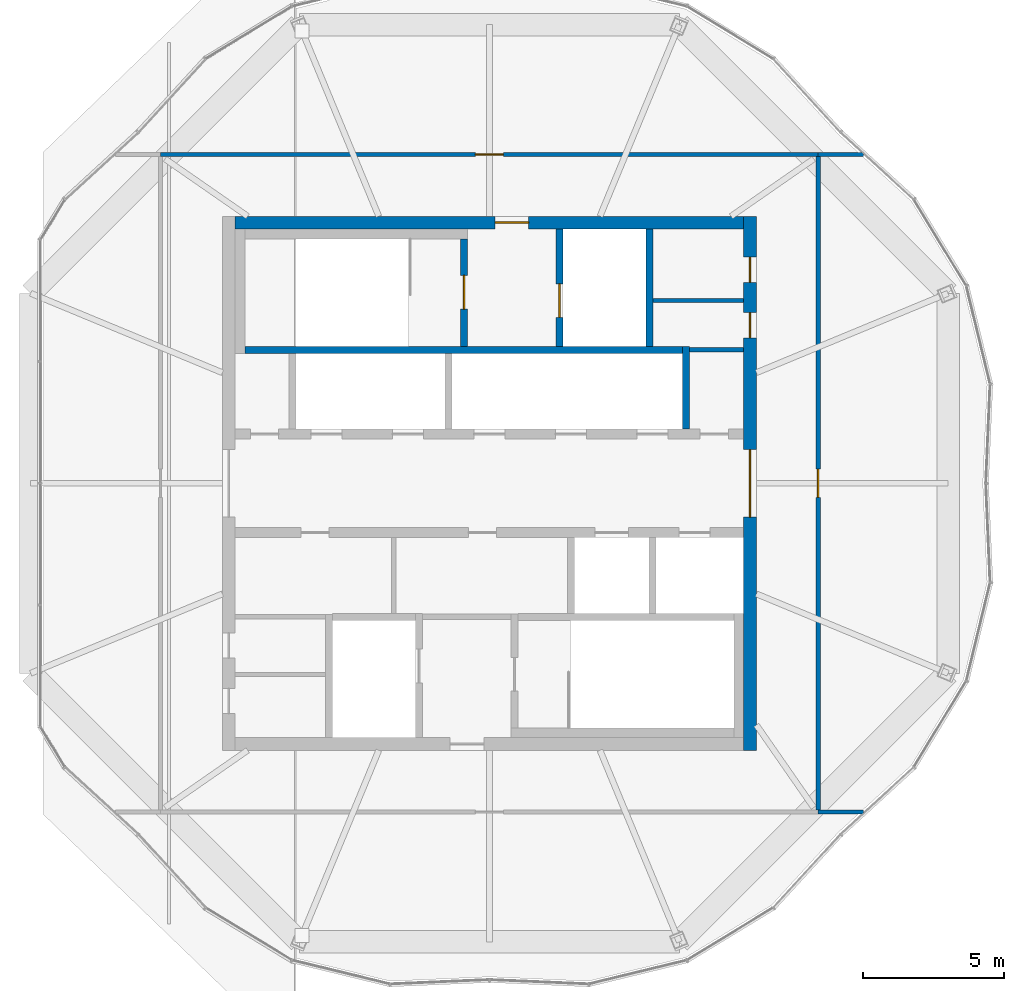
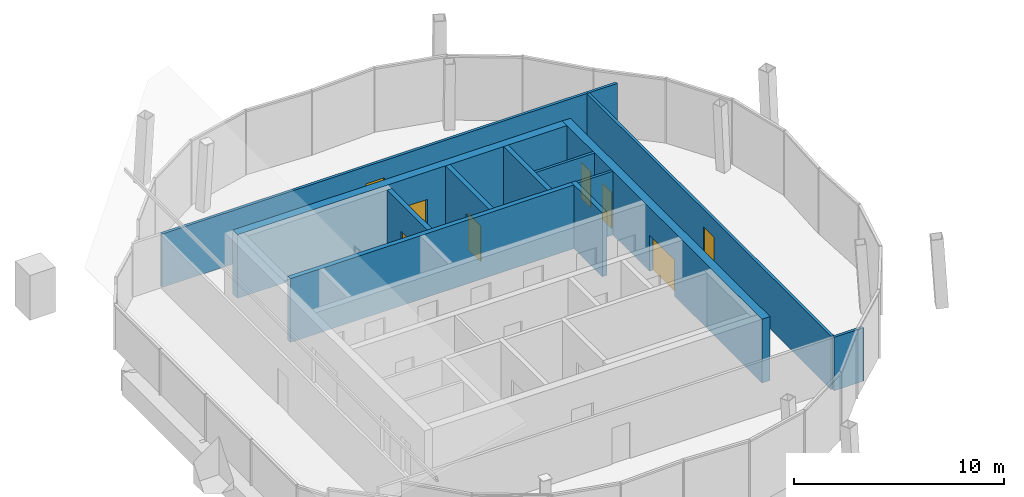
# One storey, part 20 of 23: 13 walls, 8 doors, 8 openings.
"""IFC4 building model written with IfcOpenShell, lengths in metres."""

import ifcopenshell
import ifcopenshell.guid

model = None  # the IFC model being written
_history = None  # IfcOwnerHistory: only IFC2X3 demands one
_inside = {}  # id of a spatial element -> (the spatial element, [elements in it])
_under = {}  # id of a project, library or spatial element -> (it, [spatial elements below it])
_declared = {}  # id of a project -> (the project, [libraries it declares])
_typed = {}  # id of a type object -> (the type object, [elements of that type])
_made_of = {}  # id of a material, layer set ... -> (it, [elements and type objects made of it])


def new_model(schema):
    """Start an empty IFC model of exactly this schema.

    Asked for "IFC4X3", IfcOpenShell would pick the latest addendum, in which some entities
    have other attributes; the version numbers below select the first issue.
    IFC2X3 requires an IfcOwnerHistory on every rooted entity: one is made here for all.
    """
    global model, _history
    if schema == "IFC4X3":
        model = ifcopenshell.file(schema_version=(4, 3, 0, 0))
    else:
        model = ifcopenshell.file(schema=schema)
    _inside.clear()
    _under.clear()
    _declared.clear()
    _typed.clear()
    _made_of.clear()
    _history = None
    if model.schema == "IFC2X3":
        org = make("IfcOrganization", Name="unknown")
        user = make(
            "IfcPersonAndOrganization",
            ThePerson=make("IfcPerson", FamilyName="unknown"),
            TheOrganization=org,
        )
        app = make(
            "IfcApplication",
            ApplicationDeveloper=org,
            Version="unknown",
            ApplicationFullName="unknown",
            ApplicationIdentifier="unknown",
        )
        _history = make(
            "IfcOwnerHistory",
            OwningUser=user,
            OwningApplication=app,
            ChangeAction="ADDED",
            CreationDate=0,
        )
    return model


def make(cls, **values):
    """One entity of the class cls with the attributes given. An attribute that is None is left unset."""
    return model.create_entity(
        cls, **{name: value for name, value in values.items() if value is not None}
    )


def rooted(cls, **values):
    """An entity with a GlobalId (a new one), such as an element, a storey or a relation."""
    return make(cls, GlobalId=ifcopenshell.guid.new(), OwnerHistory=_history, **values)


def si_unit(unit_type, name, prefix=None):
    """IfcSIUnit, for example si_unit("LENGTHUNIT", "METRE", prefix="MILLI")."""
    return make("IfcSIUnit", UnitType=unit_type, Prefix=prefix, Name=name)


def assignment(units):
    """IfcUnitAssignment: the units of a project."""
    return None if units is None else make("IfcUnitAssignment", Units=units)


def point(xyz):
    """IfcCartesianPoint."""
    return None if xyz is None else make("IfcCartesianPoint", Coordinates=xyz)


def direction(xyz):
    """IfcDirection."""
    return None if xyz is None else make("IfcDirection", DirectionRatios=xyz)


def frame(location, z_axis=None, x_axis=None):
    """IfcAxis2Placement3D, a coordinate frame: its origin and axes. An axis left out is left unset."""
    return make(
        "IfcAxis2Placement3D",
        Location=point(location),
        Axis=direction(z_axis),
        RefDirection=direction(x_axis),
    )


def frame_2d(location, x_axis=None):
    """IfcAxis2Placement2D, a coordinate frame in the plane: its origin and x axis."""
    return make(
        "IfcAxis2Placement2D", Location=point(location), RefDirection=direction(x_axis)
    )


def origin():
    """The frame at (0, 0, 0) with its axes left unset."""
    return frame((0.0, 0.0, 0.0))


def place(relative_to, where):
    """IfcLocalPlacement: puts the frame where relative to a parent placement (None: the world)."""
    return make(
        "IfcLocalPlacement", PlacementRelTo=relative_to, RelativePlacement=where
    )


def context(
    kind, dimensions, precision=None, world=None, true_north=None, identifier=None
):
    """IfcGeometricRepresentationContext, for example the 3D "Model" context."""
    return make(
        "IfcGeometricRepresentationContext",
        ContextIdentifier=identifier,
        ContextType=kind,
        CoordinateSpaceDimension=dimensions,
        Precision=precision,
        WorldCoordinateSystem=world,
        TrueNorth=true_north,
    )


def subcontext(parent, identifier, kind, view, scale=None):
    """IfcGeometricRepresentationSubContext, for example "Body" below "Model"."""
    return make(
        "IfcGeometricRepresentationSubContext",
        ContextIdentifier=identifier,
        ContextType=kind,
        ParentContext=parent,
        TargetScale=scale,
        TargetView=view,
    )


def project(units=None, contexts=None):
    """IfcProject with its units and contexts."""
    return rooted(
        "IfcProject",
        Name="project",
        RepresentationContexts=contexts,
        UnitsInContext=assignment(units),
    )


def spatial(cls, under=None, at=None, **own):
    """A site, building, storey or space (cls), placed at a placement, below another one or the project."""
    s = rooted(cls, ObjectPlacement=at, **own)
    if under is not None:
        _under.setdefault(under.id(), (under, []))[1].append(s)
    return s


def profile(cls, at=None, kind="AREA", **sizes):
    """A parametric profile (cls). Its sizes go by their IFC names, for example OverallWidth=200.0."""
    return make(cls, ProfileType=kind, Position=at, **sizes)


def rectangle(**sizes):
    """IfcRectangleProfileDef."""
    return profile("IfcRectangleProfileDef", **sizes)


def extrude(swept, where, along, depth):
    """IfcExtrudedAreaSolid: the profile swept, set in the frame where, extruded along a direction by depth."""
    return make(
        "IfcExtrudedAreaSolid",
        SweptArea=swept,
        Position=where,
        ExtrudedDirection=direction(along),
        Depth=depth,
    )


def shape(context_of_items, identifier, shape_type, items):
    """IfcShapeRepresentation: the items that make up one representation, for example the "Body"."""
    return make(
        "IfcShapeRepresentation",
        ContextOfItems=context_of_items,
        RepresentationIdentifier=identifier,
        RepresentationType=shape_type,
        Items=items,
    )


def material(Name=None, Category=None):
    """IfcMaterial."""
    return make("IfcMaterial", Name=Name, Category=Category)


def layer(
    of_material, thickness, ventilated=None, Name=None, Category=None, Priority=None
):
    """IfcMaterialLayer: one layer of a wall or slab, of a material (None: an air gap)."""
    return make(
        "IfcMaterialLayer",
        Material=of_material,
        LayerThickness=thickness,
        IsVentilated=ventilated,
        Name=Name,
        Category=Category,
        Priority=Priority,
    )


def layer_set(layers, Name=None):
    """IfcMaterialLayerSet."""
    return make("IfcMaterialLayerSet", MaterialLayers=layers, LayerSetName=Name)


def made_of(thing, what):
    """Note that an element or type object is made of a material, layer set ...; save() writes the relation."""
    if what is not None:
        _made_of.setdefault(what.id(), (what, []))[1].append(thing)
    return thing


def type_object(cls, material=None, **own):
    """A type object (cls), such as IfcWallType, which elements share."""
    return made_of(rooted(cls, **own), material)


def element(
    cls,
    number,
    at=None,
    inside=None,
    cuts=None,
    type_object=None,
    material=None,
    context=None,
    identifier="Body",
    shape_type=None,
    held_by="IfcProductDefinitionShape",
    body=None,
    shapes=None,
    **own,
):
    """One element of the class cls, such as IfcWall. Its Tag is "e" and its number.

    at: its placement. inside: the storey or other place that contains it. cuts: it is an
    opening in that element (IfcRelVoidsElement). A single representation is given by context,
    identifier, shape_type and body (its items); several are given by shapes. held_by: the class
    of the entity that holds the representations. save() writes the other relations.
    """
    e = rooted(cls, Tag="e%d" % number, ObjectPlacement=at, **own)
    if body is not None:
        shapes = [shape(context, identifier, shape_type, body)]
    if shapes is not None:
        e.Representation = make(held_by, Representations=shapes)
    if inside is not None:
        _inside.setdefault(inside.id(), (inside, []))[1].append(e)
    if cuts is not None:
        rooted(
            "IfcRelVoidsElement", RelatingBuildingElement=cuts, RelatedOpeningElement=e
        )
    if type_object is not None:
        _typed.setdefault(type_object.id(), (type_object, []))[1].append(e)
    return made_of(e, material)


def fill(opening, filler):
    """IfcRelFillsElement: the door or window that sits in an opening."""
    return rooted(
        "IfcRelFillsElement",
        RelatingOpeningElement=opening,
        RelatedBuildingElement=filler,
    )


def aggregate(whole, parts):
    """IfcRelAggregates: a whole, such as a stair, and the parts it consists of."""
    return rooted("IfcRelAggregates", RelatingObject=whole, RelatedObjects=parts)


def save(model, path):
    """Write the relations noted so far, then the file.

    IfcRelAggregates (storeys below a building ...), IfcRelContainedInSpatialStructure (elements
    in a storey), IfcRelDefinesByType, IfcRelAssociatesMaterial and IfcRelDeclares: one each for
    every whole, place, type object, material and project.
    """
    for whole, parts in _under.values():
        aggregate(whole, parts)
    for where, things in _inside.values():
        rooted(
            "IfcRelContainedInSpatialStructure",
            RelatedElements=things,
            RelatingStructure=where,
        )
    for kind, things in _typed.values():
        rooted("IfcRelDefinesByType", RelatedObjects=things, RelatingType=kind)
    for what, things in _made_of.values():
        rooted("IfcRelAssociatesMaterial", RelatedObjects=things, RelatingMaterial=what)
    for by, libraries in _declared.values():
        rooted("IfcRelDeclares", RelatingContext=by, RelatedDefinitions=libraries)
    model.write(path)


model = new_model("IFC4")

# Units and contexts
model_context = context("Model", 3, precision=1e-05, world=origin(), true_north=direction((0.0, 1.0)))
body_context = subcontext(model_context, "Body", "Model", "MODEL_VIEW")
ifc_project = project(units=[si_unit("LENGTHUNIT", "METRE"), si_unit("AREAUNIT", "SQUARE_METRE"), si_unit("VOLUMEUNIT", "CUBIC_METRE"), si_unit("PLANEANGLEUNIT", "RADIAN"), si_unit("MASSUNIT", "GRAM", prefix="KILO")], contexts=[model_context])

# Site, building, storey
site_placement = place(None, origin())
site = spatial("IfcSite", under=ifc_project, at=site_placement, CompositionType="ELEMENT")
building_placement = place(site_placement, origin())
building = spatial("IfcBuilding", under=site, at=building_placement, Name="Ogive Gate Towers", CompositionType="ELEMENT")
storey_placement = place(building_placement, frame((0.0, 0.0, 302.0)))
storey = spatial("IfcBuildingStorey", under=building, at=storey_placement, Name="L71", CompositionType="ELEMENT", Elevation=302.0)

# Wall, opening, door
ifc_material_1 = material(Name="Concrete C60/75", Category="concrete")
ifc_layer_1 = layer(ifc_material_1, 0.449951171875)
ifc_layer_set_1 = layer_set([ifc_layer_1], Name="Core wall 450 mm")
wall_type_1 = type_object("IfcWallType", Name="Core wall 450 mm", PredefinedType="SHEAR", material=ifc_layer_set_1)
wall_1_placement = place(storey_placement, frame((-45.050048828125, 9.27490234375, 0.0), z_axis=(0.0, 0.0, 1.0), x_axis=(1.0, 0.0, 0.0)))
wall_1 = element("IfcWall", 1, at=wall_1_placement, inside=storey, type_object=wall_type_1, Name="T1 L71 Core wall 450 mm", PredefinedType="SHEAR", context=body_context, shape_type="SweptSolid", body=[
    extrude(rectangle(XDim=18.10009765625, YDim=0.449951171875, at=frame_2d((9.050048828125, 0.0))), origin(), (0.0, 0.0, 1.0), 3.699951171875),
])
opening_1_placement = place(wall_1_placement, frame((9.25, 0.0, 0.0)))
opening_1 = element("IfcOpeningElement", 2, at=opening_1_placement, cuts=wall_1, Name="Opening KD-T1-L71-18", PredefinedType="OPENING", context=body_context, shape_type="SweptSolid", body=[
    extrude(rectangle(XDim=1.199951171875, YDim=2.10009765625, at=frame_2d((0.60009765625, 1.050048828125))), frame((0.0, 0.23486328125, 0.0), z_axis=(0.0, -1.0, 0.0), x_axis=(1.0, 0.0, 0.0)), (0.0, 0.0, 1.0), 0.469970703125),
])
ifc_material_2 = material(Name="Steel fire door", Category="steel")
door_type_1 = type_object("IfcDoorType", Name="Core door FD60S 1200 x 2100", OperationType="NOTDEFINED", PredefinedType="DOOR", material=ifc_material_2)
door_1_placement = place(opening_1_placement, origin())
door_1 = element("IfcDoor", 3, at=door_1_placement, inside=storey, type_object=door_type_1, Name="T1 L71 Fire-fighting lobby door", OperationType="SINGLE_SWING_LEFT", OverallHeight=2.10009765625, OverallWidth=1.199951171875, PredefinedType="DOOR", context=body_context, shape_type="SweptSolid", body=[
    extrude(rectangle(XDim=1.199951171875, YDim=2.10009765625, at=frame_2d((0.60009765625, 1.050048828125))), frame((0.0, 0.02490234375, 0.0), z_axis=(0.0, -1.0, 0.0), x_axis=(1.0, 0.0, 0.0)), (0.0, 0.0, 1.0), 0.050048828125),
])
fill(opening_1, door_1)

# Wall, openings, doors
wall_2_placement = place(storey_placement, frame((-26.72509765625, -9.5, 0.0), z_axis=(0.0, 0.0, 1.0), x_axis=(0.0, 1.0, 0.0)))
wall_2 = element("IfcWall", 4, at=wall_2_placement, inside=storey, type_object=wall_type_1, Name="T1 L71 Core wall 450 mm", PredefinedType="SHEAR", context=body_context, shape_type="SweptSolid", body=[
    extrude(rectangle(XDim=19.0, YDim=0.449951171875, at=frame_2d((9.5, 0.0))), origin(), (0.0, 0.0, 1.0), 3.699951171875),
])
opening_2_placement = place(wall_2_placement, frame((8.300048828125, 0.0, 0.0)))
opening_2 = element("IfcOpeningElement", 5, at=opening_2_placement, cuts=wall_2, Name="Opening KD-T1-L71-02", PredefinedType="OPENING", context=body_context, shape_type="SweptSolid", body=[
    extrude(rectangle(XDim=2.39990234375, YDim=2.10009765625, at=frame_2d((1.199951171875, 1.050048828125))), frame((0.0, 0.23486328125, 0.0), z_axis=(0.0, -1.0, 0.0), x_axis=(1.0, 0.0, 0.0)), (0.0, 0.0, 1.0), 0.469970703125),
])
opening_3_placement = place(wall_2_placement, frame((14.675048828125, 0.0, 0.0)))
opening_3 = element("IfcOpeningElement", 6, at=opening_3_placement, cuts=wall_2, Name="Opening KD-T1-L71-20", PredefinedType="OPENING", context=body_context, shape_type="SweptSolid", body=[
    extrude(rectangle(XDim=0.89990234375, YDim=2.10009765625, at=frame_2d((0.449951171875, 1.050048828125))), frame((0.0, 0.23486328125, 0.0), z_axis=(0.0, -1.0, 0.0), x_axis=(1.0, 0.0, 0.0)), (0.0, 0.0, 1.0), 0.469970703125),
])
opening_4_placement = place(wall_2_placement, frame((16.64990234375, 0.0, 0.0)))
opening_4 = element("IfcOpeningElement", 7, at=opening_4_placement, cuts=wall_2, Name="Opening KD-T1-L71-21", PredefinedType="OPENING", context=body_context, shape_type="SweptSolid", body=[
    extrude(rectangle(XDim=0.89990234375, YDim=2.10009765625, at=frame_2d((0.449951171875, 1.050048828125))), frame((0.0, 0.23486328125, 0.0), z_axis=(0.0, -1.0, 0.0), x_axis=(1.0, 0.0, 0.0)), (0.0, 0.0, 1.0), 0.469970703125),
])
door_type_2 = type_object("IfcDoorType", Name="Core door FD60S 900 x 2100", OperationType="NOTDEFINED", PredefinedType="DOOR", material=ifc_material_2)
door_2_placement = place(opening_3_placement, origin())
door_2 = element("IfcDoor", 8, at=door_2_placement, inside=storey, type_object=door_type_2, Name="T1 L71 Core door", OperationType="SINGLE_SWING_LEFT", OverallHeight=2.10009765625, OverallWidth=0.89990234375, PredefinedType="DOOR", context=body_context, shape_type="SweptSolid", body=[
    extrude(rectangle(XDim=0.89990234375, YDim=2.10009765625, at=frame_2d((0.449951171875, 1.050048828125))), frame((0.0, 0.02490234375, 0.0), z_axis=(0.0, -1.0, 0.0), x_axis=(1.0, 0.0, 0.0)), (0.0, 0.0, 1.0), 0.050048828125),
])
fill(opening_3, door_2)
door_3_placement = place(opening_4_placement, origin())
door_3 = element("IfcDoor", 9, at=door_3_placement, inside=storey, type_object=door_type_2, Name="T1 L71 Core door", OperationType="SINGLE_SWING_RIGHT", OverallHeight=2.10009765625, OverallWidth=0.89990234375, PredefinedType="DOOR", context=body_context, shape_type="SweptSolid", body=[
    extrude(rectangle(XDim=0.89990234375, YDim=2.10009765625, at=frame_2d((0.449951171875, 1.050048828125))), frame((0.0, 0.02490234375, 0.0), z_axis=(0.0, -1.0, 0.0), x_axis=(1.0, 0.0, 0.0)), (0.0, 0.0, 1.0), 0.050048828125),
])
fill(opening_4, door_3)
door_type_3 = type_object("IfcDoorType", Name="Core double door FD60S 2400 x 2100", OperationType="DOUBLE_DOOR_SINGLE_SWING", PredefinedType="DOOR", material=ifc_material_2)
door_4_placement = place(opening_2_placement, origin())
door_4 = element("IfcDoor", 10, at=door_4_placement, inside=storey, type_object=door_type_3, Name="T1 L71 Core door double", OperationType="DOUBLE_DOOR_SINGLE_SWING", OverallHeight=2.10009765625, OverallWidth=2.39990234375, PredefinedType="DOOR", context=body_context, shape_type="SweptSolid", body=[
    extrude(rectangle(XDim=2.39990234375, YDim=2.10009765625, at=frame_2d((1.199951171875, 1.050048828125))), frame((0.0, 0.02490234375, 0.0), z_axis=(0.0, -1.0, 0.0), x_axis=(1.0, 0.0, 0.0)), (0.0, 0.0, 1.0), 0.050048828125),
])
fill(opening_2, door_4)

# Wall
ifc_material_3 = material(Name="Fire-rated gypsum board partition")
ifc_layer_2 = layer(ifc_material_3, 0.14990234375)
ifc_layer_set_2 = layer_set([ifc_layer_2], Name="Partition wall 150")
wall_type_2 = type_object("IfcWallType", Name="Partition wall 150", PredefinedType="PARTITIONING", material=ifc_layer_set_2)
wall_3_placement = place(storey_placement, frame((-24.300048828125, 11.699951171875, 0.0), z_axis=(0.0, 0.0, 1.0), x_axis=(1.0, 0.0, 0.0)))
element("IfcWall", 11, at=wall_3_placement, inside=storey, type_object=wall_type_2, Name="L71 partition 002", PredefinedType="PARTITIONING", context=body_context, shape_type="SweptSolid", body=[
    extrude(rectangle(XDim=1.609619140625, YDim=0.14990234375, at=frame_2d((0.8046875, 0.0))), origin(), (0.0, 0.0, 1.0), 3.10009765625),
])

# Wall, opening, door
wall_4_placement = place(storey_placement, frame((-47.699951171875, 11.699951171875, 0.0), z_axis=(0.0, 0.0, 1.0), x_axis=(1.0, 0.0, 0.0)))
wall_4 = element("IfcWall", 12, at=wall_4_placement, inside=storey, type_object=wall_type_2, Name="L71 partition 003", PredefinedType="PARTITIONING", context=body_context, shape_type="SweptSolid", body=[
    extrude(rectangle(XDim=23.39990234375, YDim=0.14990234375, at=frame_2d((11.699951171875, 0.0))), origin(), (0.0, 0.0, 1.0), 3.10009765625),
])
opening_5_placement = place(wall_4_placement, frame((11.199951171875, 0.0, 0.0)))
opening_5 = element("IfcOpeningElement", 13, at=opening_5_placement, cuts=wall_4, Name="Opening PO314", PredefinedType="OPENING", context=body_context, shape_type="SweptSolid", body=[
    extrude(rectangle(XDim=1.0, YDim=2.10009765625, at=frame_2d((0.5, 1.050048828125))), frame((0.0, 0.0849609375, 0.0), z_axis=(0.0, -1.0, 0.0), x_axis=(1.0, 0.0, 0.0)), (0.0, 0.0, 1.0), 0.169921875),
])
door_type_4 = type_object("IfcDoorType", Name="Interior fire door FD60S 1000 x 2100", OperationType="NOTDEFINED", PredefinedType="DOOR", material=ifc_material_2)
door_5_placement = place(opening_5_placement, origin())
door_5 = element("IfcDoor", 14, at=door_5_placement, inside=storey, type_object=door_type_4, Name="Door PO314", OperationType="SINGLE_SWING_RIGHT", OverallHeight=2.10009765625, OverallWidth=1.0, PredefinedType="DOOR", context=body_context, shape_type="SweptSolid", body=[
    extrude(rectangle(XDim=1.0, YDim=2.10009765625, at=frame_2d((0.5, 1.050048828125))), frame((0.0, 0.02490234375, 0.0), z_axis=(0.0, -1.0, 0.0), x_axis=(1.0, 0.0, 0.0)), (0.0, 0.0, 1.0), 0.050048828125),
])
fill(opening_5, door_5)

# Wall
wall_5_placement = place(storey_placement, frame((-24.300048828125, -11.699951171875, 0.0), z_axis=(0.0, 0.0, 1.0), x_axis=(1.0, 0.0, 0.0)))
element("IfcWall", 15, at=wall_5_placement, inside=storey, type_object=wall_type_2, Name="L71 partition 005", PredefinedType="PARTITIONING", context=body_context, shape_type="SweptSolid", body=[
    extrude(rectangle(XDim=1.609619140625, YDim=0.14990234375, at=frame_2d((0.8046875, 0.0))), origin(), (0.0, 0.0, 1.0), 3.10009765625),
])

# Wall, opening, door
wall_6_placement = place(storey_placement, frame((-24.300048828125, -11.625, 0.0), z_axis=(0.0, 0.0, 1.0), x_axis=(0.0, 1.0, 0.0)))
wall_6 = element("IfcWall", 16, at=wall_6_placement, inside=storey, type_object=wall_type_2, Name="L71 partition 008", PredefinedType="PARTITIONING", context=body_context, shape_type="SweptSolid", body=[
    extrude(rectangle(XDim=23.25, YDim=0.14990234375, at=frame_2d((11.625, 0.0))), origin(), (0.0, 0.0, 1.0), 3.10009765625),
])
opening_6_placement = place(wall_6_placement, frame((11.125, 0.0, 0.0)))
opening_6 = element("IfcOpeningElement", 17, at=opening_6_placement, cuts=wall_6, Name="Opening PO317", PredefinedType="OPENING", context=body_context, shape_type="SweptSolid", body=[
    extrude(rectangle(XDim=1.0, YDim=2.10009765625, at=frame_2d((0.5, 1.050048828125))), frame((0.0, 0.0849609375, 0.0), z_axis=(0.0, -1.0, 0.0), x_axis=(1.0, 0.0, 0.0)), (0.0, 0.0, 1.0), 0.169921875),
])
door_6_placement = place(opening_6_placement, origin())
door_6 = element("IfcDoor", 18, at=door_6_placement, inside=storey, type_object=door_type_4, Name="Door PO317", OperationType="SINGLE_SWING_LEFT", OverallHeight=2.10009765625, OverallWidth=1.0, PredefinedType="DOOR", context=body_context, shape_type="SweptSolid", body=[
    extrude(rectangle(XDim=1.0, YDim=2.10009765625, at=frame_2d((0.5, 1.050048828125))), frame((0.0, 0.02490234375, 0.0), z_axis=(0.0, -1.0, 0.0), x_axis=(1.0, 0.0, 0.0)), (0.0, 0.0, 1.0), 0.050048828125),
])
fill(opening_6, door_6)

# Walls
ifc_material_4 = material(Name="Gypsum board partition")
ifc_layer_3 = layer(ifc_material_4, 0.14990234375)
ifc_layer_set_3 = layer_set([ifc_layer_3], Name="Room partition 150 mm")
wall_type_3 = type_object("IfcWallType", Name="Room partition 150 mm", PredefinedType="PARTITIONING", material=ifc_layer_set_3)
wall_7_placement = place(storey_placement, frame((-28.875, 4.75, 0.0), z_axis=(0.0, 0.0, 1.0), x_axis=(1.0, 0.0, 0.0)))
element("IfcWall", 19, at=wall_7_placement, inside=storey, type_object=wall_type_3, Name="T1 L71 Room partition 150 mm", PredefinedType="PARTITIONING", context=body_context, shape_type="SweptSolid", body=[
    extrude(rectangle(XDim=1.925048828125, YDim=0.14990234375, at=frame_2d((0.96240234375, 0.0))), origin(), (0.0, 0.0, 1.0), 3.699951171875),
])
wall_8_placement = place(storey_placement, frame((-30.175048828125, 6.5, 0.0), z_axis=(0.0, 0.0, 1.0), x_axis=(1.0, 0.0, 0.0)))
element("IfcWall", 20, at=wall_8_placement, inside=storey, type_object=wall_type_3, Name="T1 L71 Room partition 150 mm", PredefinedType="PARTITIONING", context=body_context, shape_type="SweptSolid", body=[
    extrude(rectangle(XDim=3.22509765625, YDim=0.14990234375, at=frame_2d((1.612548828125, 0.0))), origin(), (0.0, 0.0, 1.0), 3.699951171875),
])
ifc_layer_4 = layer(ifc_material_1, 0.25)
ifc_layer_set_4 = layer_set([ifc_layer_4], Name="Shaft wall 250 mm")
wall_type_4 = type_object("IfcWallType", Name="Shaft wall 250 mm", PredefinedType="SHEAR", material=ifc_layer_set_4)
wall_9_placement = place(storey_placement, frame((-44.699951171875, 4.75, 0.0), z_axis=(0.0, 0.0, 1.0), x_axis=(1.0, 0.0, 0.0)))
element("IfcWall", 21, at=wall_9_placement, inside=storey, type_object=wall_type_4, Name="T1 L71 Shaft wall 250 mm", PredefinedType="SHEAR", context=body_context, shape_type="SweptSolid", body=[
    extrude(rectangle(XDim=15.574951171875, YDim=0.25, at=frame_2d((7.78759765625, 0.0))), origin(), (0.0, 0.0, 1.0), 3.699951171875),
])

# Wall, opening, door
wall_10_placement = place(storey_placement, frame((-36.89990234375, 4.875, 0.0), z_axis=(0.0, 0.0, 1.0), x_axis=(0.0, 1.0, 0.0)))
wall_10 = element("IfcWall", 22, at=wall_10_placement, inside=storey, type_object=wall_type_4, Name="T1 L71 Shaft wall 250 mm", PredefinedType="SHEAR", context=body_context, shape_type="SweptSolid", body=[
    extrude(rectangle(XDim=3.824951171875, YDim=0.25, at=frame_2d((1.91259765625, 0.0))), origin(), (0.0, 0.0, 1.0), 3.699951171875),
])
opening_7_placement = place(wall_10_placement, frame((1.324951171875, 0.0, 0.0)))
opening_7 = element("IfcOpeningElement", 23, at=opening_7_placement, cuts=wall_10, Name="Opening KD-T1-L71-16", PredefinedType="OPENING", context=body_context, shape_type="SweptSolid", body=[
    extrude(rectangle(XDim=1.199951171875, YDim=2.10009765625, at=frame_2d((0.60009765625, 1.050048828125))), frame((0.0, 0.135009765625, 0.0), z_axis=(0.0, -1.0, 0.0), x_axis=(1.0, 0.0, 0.0)), (0.0, 0.0, 1.0), 0.27001953125),
])
door_7_placement = place(opening_7_placement, origin())
door_7 = element("IfcDoor", 24, at=door_7_placement, inside=storey, type_object=door_type_1, Name="T1 L71 Stair door", OperationType="SINGLE_SWING_LEFT", OverallHeight=2.10009765625, OverallWidth=1.199951171875, PredefinedType="DOOR", context=body_context, shape_type="SweptSolid", body=[
    extrude(rectangle(XDim=1.199951171875, YDim=2.10009765625, at=frame_2d((0.60009765625, 1.050048828125))), frame((0.0, 0.02490234375, 0.0), z_axis=(0.0, -1.0, 0.0), x_axis=(1.0, 0.0, 0.0)), (0.0, 0.0, 1.0), 0.050048828125),
])
fill(opening_7, door_7)

wall_11_placement = place(storey_placement, frame((-33.5, 4.875, 0.0), z_axis=(0.0, 0.0, 1.0), x_axis=(0.0, 1.0, 0.0)))
wall_11 = element("IfcWall", 25, at=wall_11_placement, inside=storey, type_object=wall_type_4, Name="T1 L71 Shaft wall 250 mm", PredefinedType="SHEAR", context=body_context, shape_type="SweptSolid", body=[
    extrude(rectangle(XDim=4.175048828125, YDim=0.25, at=frame_2d((2.08740234375, 0.0))), origin(), (0.0, 0.0, 1.0), 3.699951171875),
])
opening_8_placement = place(wall_11_placement, frame((1.02490234375, 0.0, 0.0)))
opening_8 = element("IfcOpeningElement", 26, at=opening_8_placement, cuts=wall_11, Name="Opening LD-T1-L71-12", PredefinedType="OPENING", context=body_context, shape_type="SweptSolid", body=[
    extrude(rectangle(XDim=1.199951171875, YDim=2.10009765625, at=frame_2d((0.60009765625, 1.050048828125))), frame((0.0, 0.135009765625, 0.0), z_axis=(0.0, -1.0, 0.0), x_axis=(1.0, 0.0, 0.0)), (0.0, 0.0, 1.0), 0.27001953125),
])
ifc_material_5 = material(Name="Stainless steel landing door", Category="steel")
door_type_5 = type_object("IfcDoorType", Name="Landing door 1200 x 2100", OperationType="SLIDING_TO_LEFT", PredefinedType="DOOR", material=ifc_material_5)
door_8_placement = place(opening_8_placement, origin())
door_8 = element("IfcDoor", 27, at=door_8_placement, inside=storey, type_object=door_type_5, Name="T1 L71 Lift landing door FF1", OperationType="SLIDING_TO_LEFT", OverallHeight=2.10009765625, OverallWidth=1.199951171875, PredefinedType="DOOR", context=body_context, shape_type="SweptSolid", body=[
    extrude(rectangle(XDim=1.199951171875, YDim=2.10009765625, at=frame_2d((0.60009765625, 1.050048828125))), frame((0.0, 0.02490234375, 0.0), z_axis=(0.0, -1.0, 0.0), x_axis=(1.0, 0.0, 0.0)), (0.0, 0.0, 1.0), 0.050048828125),
])
fill(opening_8, door_8)

# Walls
wall_12_placement = place(storey_placement, frame((-30.300048828125, 4.875, 0.0), z_axis=(0.0, 0.0, 1.0), x_axis=(0.0, 1.0, 0.0)))
element("IfcWall", 28, at=wall_12_placement, inside=storey, type_object=wall_type_4, Name="T1 L71 Shaft wall 250 mm", PredefinedType="SHEAR", context=body_context, shape_type="SweptSolid", body=[
    extrude(rectangle(XDim=4.175048828125, YDim=0.25, at=frame_2d((2.08740234375, 0.0))), origin(), (0.0, 0.0, 1.0), 3.699951171875),
])
wall_13_placement = place(storey_placement, frame((-29.0, 1.925048828125, 0.0), z_axis=(0.0, 0.0, 1.0), x_axis=(0.0, 1.0, 0.0)))
element("IfcWall", 29, at=wall_13_placement, inside=storey, type_object=wall_type_4, Name="T1 L71 Shaft wall 250 mm", PredefinedType="SHEAR", context=body_context, shape_type="SweptSolid", body=[
    extrude(rectangle(XDim=2.949951171875, YDim=0.25, at=frame_2d((1.47509765625, 0.0))), origin(), (0.0, 0.0, 1.0), 3.699951171875),
])

save(model, "model.ifc")
